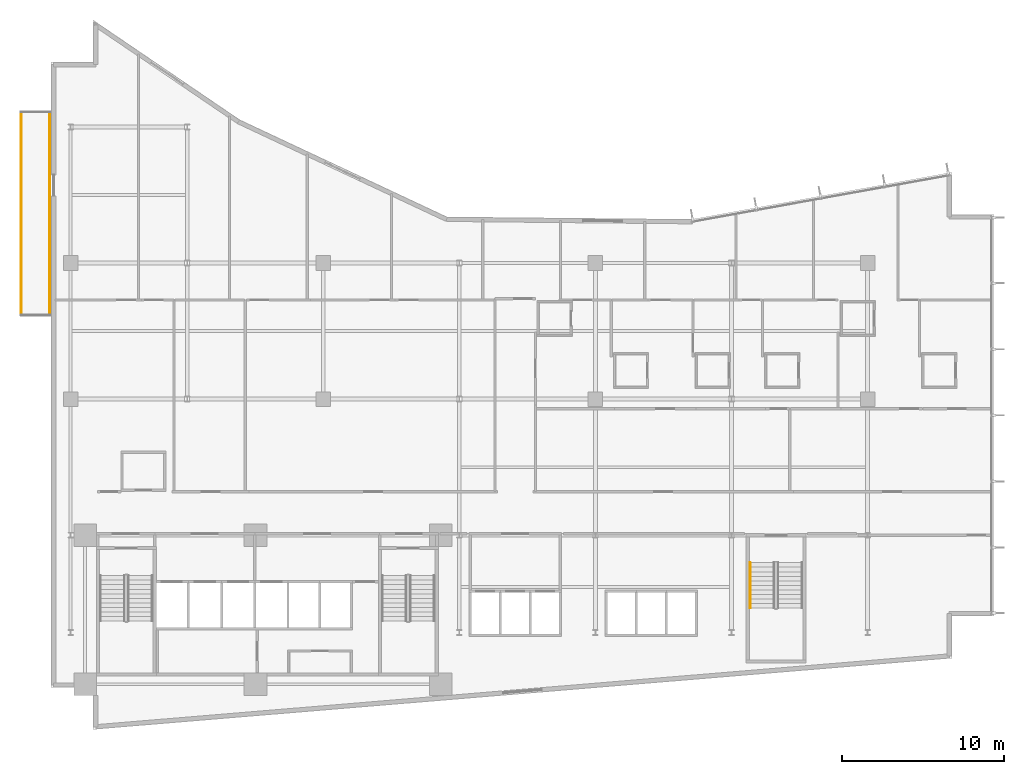
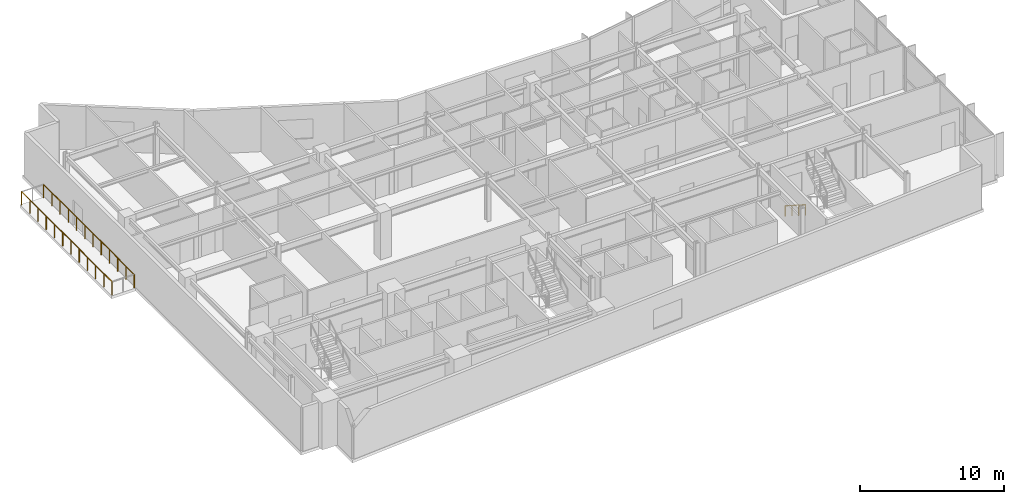
# One storey, part 19 of 22: 3 railings.
"""IFC4 building model written with IfcOpenShell, lengths in metres."""

from ifc_helpers import new_model, si_unit, direction, frame, origin, origin_2d, place, context, subcontext, project, spatial, circle, extrude, material, type_object, element, save


model = new_model("IFC4")

# Units and contexts
model_context = context("Model", 3, precision=1e-05, world=origin(), true_north=direction((0.0, 1.0)))
body_context = subcontext(model_context, "Body", "Model", "MODEL_VIEW")
ifc_project = project(units=[si_unit("LENGTHUNIT", "METRE"), si_unit("AREAUNIT", "SQUARE_METRE"), si_unit("VOLUMEUNIT", "CUBIC_METRE"), si_unit("PLANEANGLEUNIT", "RADIAN"), si_unit("MASSUNIT", "GRAM", prefix="KILO")], contexts=[model_context])

# Site, building, storey
site_placement = place(None, origin())
site = spatial("IfcSite", under=ifc_project, at=site_placement, CompositionType="ELEMENT")
building_placement = place(site_placement, origin())
building = spatial("IfcBuilding", under=site, at=building_placement, Name="Varnakote Quay Hospital", CompositionType="ELEMENT")
storey_placement = place(building_placement, frame((0.0, 0.0, 62.0)))
storey = spatial("IfcBuildingStorey", under=building, at=storey_placement, Name="L15", CompositionType="ELEMENT", Elevation=62.0)

# Railings
ifc_material_1 = material(Name="Anodised aluminium 6063-T6 Bronze", Category="aluminium")
railing_type_1 = type_object("IfcRailingType", Name="RLG-EXT-GUARD-1150", PredefinedType="GUARDRAIL", material=ifc_material_1)
railing_1_placement = place(storey_placement, frame((-1.840087890625, 25.580078125, 0.0)))
element("IfcRailing", 1, at=railing_1_placement, inside=storey, type_object=railing_type_1, Name="L15 Zigzag Prow Healing Terrace Safety Guard", PredefinedType="GUARDRAIL", context=body_context, shape_type="SweptSolid", body=[
    extrude(circle(Radius=0.02392578125, at=origin_2d()), frame((0.0, 0.0, 1.1259765625), z_axis=(0.0, 1.0, 0.0), x_axis=(-1.0, 0.0, 0.0)), (0.0, 0.0, 1.0), 12.5400390625),
    extrude(circle(Radius=0.02099609375, at=origin_2d()), origin(), (0.0, 0.0, 1.0), 1.101806640625),
    extrude(circle(Radius=0.02099609375, at=origin_2d()), frame((0.0, 1.139892578125, 0.0)), (0.0, 0.0, 1.0), 1.101806640625),
    extrude(circle(Radius=0.02099609375, at=origin_2d()), frame((0.0, 2.280029296875, 0.0)), (0.0, 0.0, 1.0), 1.101806640625),
    extrude(circle(Radius=0.02099609375, at=origin_2d()), frame((0.0, 3.419921875, 0.0)), (0.0, 0.0, 1.0), 1.101806640625),
    extrude(circle(Radius=0.02099609375, at=origin_2d()), frame((0.0, 4.56005859375, 0.0)), (0.0, 0.0, 1.0), 1.101806640625),
    extrude(circle(Radius=0.02099609375, at=origin_2d()), frame((0.0, 5.699951171875, 0.0)), (0.0, 0.0, 1.0), 1.101806640625),
    extrude(circle(Radius=0.02099609375, at=origin_2d()), frame((0.0, 6.840087890625, 0.0)), (0.0, 0.0, 1.0), 1.101806640625),
    extrude(circle(Radius=0.02099609375, at=origin_2d()), frame((0.0, 7.97998046875, 0.0)), (0.0, 0.0, 1.0), 1.101806640625),
    extrude(circle(Radius=0.02099609375, at=origin_2d()), frame((0.0, 9.1201171875, 0.0)), (0.0, 0.0, 1.0), 1.101806640625),
    extrude(circle(Radius=0.02099609375, at=origin_2d()), frame((0.0, 10.260009765625, 0.0)), (0.0, 0.0, 1.0), 1.101806640625),
    extrude(circle(Radius=0.02099609375, at=origin_2d()), frame((0.0, 11.400146484375, 0.0)), (0.0, 0.0, 1.0), 1.101806640625),
    extrude(circle(Radius=0.02099609375, at=origin_2d()), frame((0.0, 12.5400390625, 0.0)), (0.0, 0.0, 1.0), 1.101806640625),
])
railing_2_placement = place(storey_placement, frame((-0.075927734375, 38.1201171875, 0.0)))
element("IfcRailing", 2, at=railing_2_placement, inside=storey, type_object=railing_type_1, Name="L15 Zigzag Prow Healing Terrace Safety Guard", PredefinedType="GUARDRAIL", context=body_context, shape_type="SweptSolid", body=[
    extrude(circle(Radius=0.02392578125, at=origin_2d()), frame((0.0, 0.0, 1.1259765625), z_axis=(0.0, -1.0, 0.0), x_axis=(1.0, 0.0, 0.0)), (0.0, 0.0, 1.0), 12.5400390625),
    extrude(circle(Radius=0.02099609375, at=origin_2d()), origin(), (0.0, 0.0, 1.0), 1.101806640625),
    extrude(circle(Radius=0.02099609375, at=origin_2d()), frame((0.0, -1.139892578125, 0.0)), (0.0, 0.0, 1.0), 1.101806640625),
    extrude(circle(Radius=0.02099609375, at=origin_2d()), frame((0.0, -2.280029296875, 0.0)), (0.0, 0.0, 1.0), 1.101806640625),
    extrude(circle(Radius=0.02099609375, at=origin_2d()), frame((0.0, -3.419921875, 0.0)), (0.0, 0.0, 1.0), 1.101806640625),
    extrude(circle(Radius=0.02099609375, at=origin_2d()), frame((0.0, -4.56005859375, 0.0)), (0.0, 0.0, 1.0), 1.101806640625),
    extrude(circle(Radius=0.02099609375, at=origin_2d()), frame((0.0, -5.699951171875, 0.0)), (0.0, 0.0, 1.0), 1.101806640625),
    extrude(circle(Radius=0.02099609375, at=origin_2d()), frame((0.0, -6.840087890625, 0.0)), (0.0, 0.0, 1.0), 1.101806640625),
    extrude(circle(Radius=0.02099609375, at=origin_2d()), frame((0.0, -7.97998046875, 0.0)), (0.0, 0.0, 1.0), 1.101806640625),
    extrude(circle(Radius=0.02099609375, at=origin_2d()), frame((0.0, -9.1201171875, 0.0)), (0.0, 0.0, 1.0), 1.101806640625),
    extrude(circle(Radius=0.02099609375, at=origin_2d()), frame((0.0, -10.260009765625, 0.0)), (0.0, 0.0, 1.0), 1.101806640625),
    extrude(circle(Radius=0.02099609375, at=origin_2d()), frame((0.0, -11.400146484375, 0.0)), (0.0, 0.0, 1.0), 1.101806640625),
    extrude(circle(Radius=0.02099609375, at=origin_2d()), frame((0.0, -12.5400390625, 0.0)), (0.0, 0.0, 1.0), 1.101806640625),
])
ifc_material_2 = material(Name="Brushed stainless steel handrail", Category="steel")
railing_type_2 = type_object("IfcRailingType", Name="RLG-STAIR-HND-920", PredefinedType="HANDRAIL", material=ifc_material_2)
railing_3_placement = place(storey_placement, frame((43.14990234375, 10.300048828125, 0.179443359375)))
element("IfcRailing", 3, at=railing_3_placement, inside=storey, type_object=railing_type_2, Name="L15 ST-03 stair handrail 1", PredefinedType="HANDRAIL", context=body_context, shape_type="SweptSolid", body=[
    extrude(circle(Radius=0.02392578125, at=origin_2d()), frame((0.0, 0.0, 0.8759765625), z_axis=(0.0, -0.841776520102, 0.539826166654), x_axis=(1.0, 0.0, 0.0)), (0.0, 0.0, 1.0), 3.326416015625),
    extrude(circle(Radius=0.02099609375, at=origin_2d()), origin(), (0.0, 0.0, 1.0), 0.851806640625),
    extrude(circle(Radius=0.02099609375, at=origin_2d()), frame((0.0, -0.933349609375, 0.5986328125)), (0.0, 0.0, 1.0), 0.851806640625),
    extrude(circle(Radius=0.02099609375, at=origin_2d()), frame((0.0, -1.86669921875, 1.197021484375)), (0.0, 0.0, 1.0), 0.851806640625),
    extrude(circle(Radius=0.02099609375, at=origin_2d()), frame((0.0, -2.800048828125, 1.795654296875)), (0.0, 0.0, 1.0), 0.851806640625),
])

save(model, "model.ifc")
